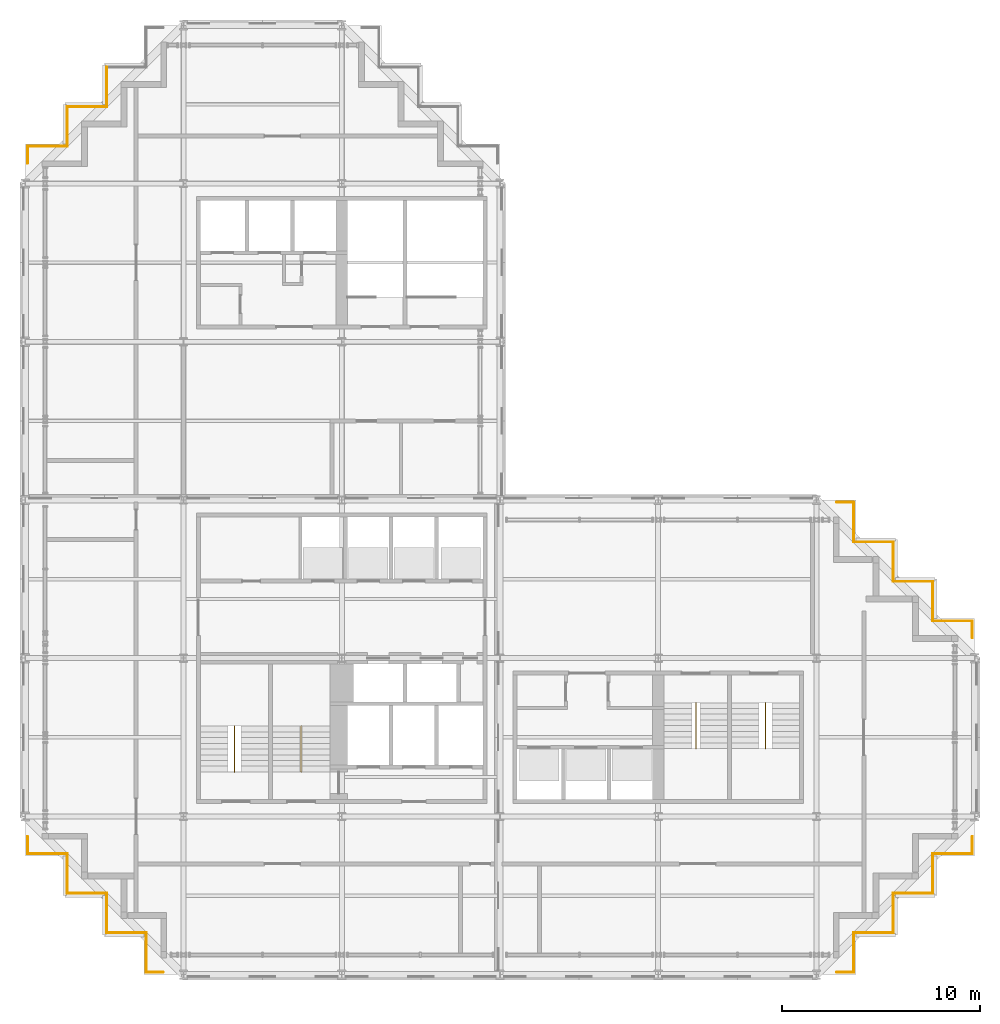
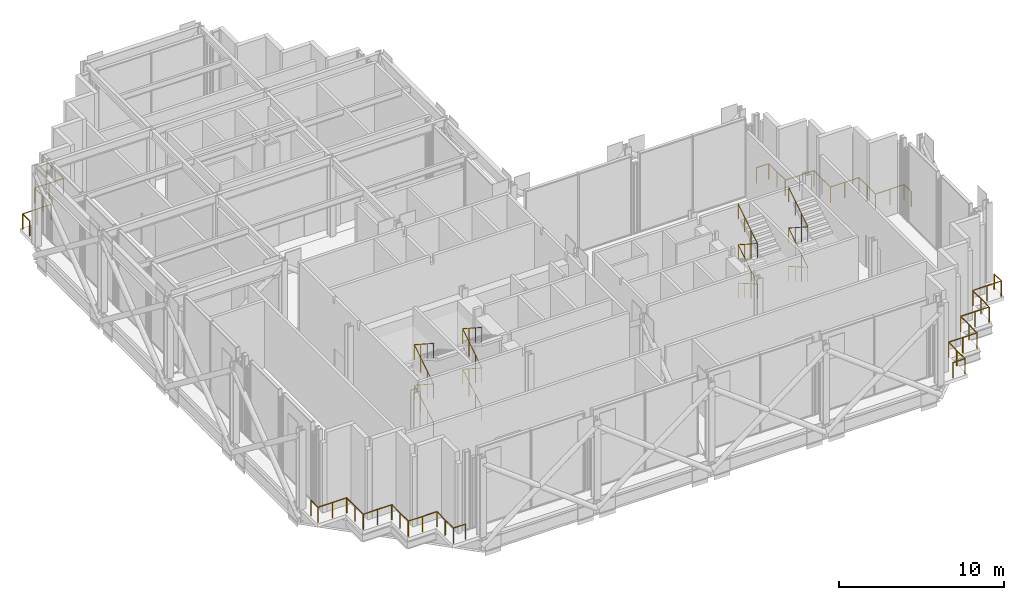
# One storey, part 21 of 23: 33 railings.
"""IFC4 building model written with IfcOpenShell, lengths in metres."""

import ifcopenshell
import ifcopenshell.guid

model = None  # the IFC model being written
_history = None  # IfcOwnerHistory: only IFC2X3 demands one
_inside = {}  # id of a spatial element -> (the spatial element, [elements in it])
_under = {}  # id of a project, library or spatial element -> (it, [spatial elements below it])
_declared = {}  # id of a project -> (the project, [libraries it declares])
_typed = {}  # id of a type object -> (the type object, [elements of that type])
_made_of = {}  # id of a material, layer set ... -> (it, [elements and type objects made of it])


def new_model(schema):
    """Start an empty IFC model of exactly this schema.

    Asked for "IFC4X3", IfcOpenShell would pick the latest addendum, in which some entities
    have other attributes; the version numbers below select the first issue.
    IFC2X3 requires an IfcOwnerHistory on every rooted entity: one is made here for all.
    """
    global model, _history
    if schema == "IFC4X3":
        model = ifcopenshell.file(schema_version=(4, 3, 0, 0))
    else:
        model = ifcopenshell.file(schema=schema)
    _inside.clear()
    _under.clear()
    _declared.clear()
    _typed.clear()
    _made_of.clear()
    _history = None
    if model.schema == "IFC2X3":
        org = make("IfcOrganization", Name="unknown")
        user = make(
            "IfcPersonAndOrganization",
            ThePerson=make("IfcPerson", FamilyName="unknown"),
            TheOrganization=org,
        )
        app = make(
            "IfcApplication",
            ApplicationDeveloper=org,
            Version="unknown",
            ApplicationFullName="unknown",
            ApplicationIdentifier="unknown",
        )
        _history = make(
            "IfcOwnerHistory",
            OwningUser=user,
            OwningApplication=app,
            ChangeAction="ADDED",
            CreationDate=0,
        )
    return model


def make(cls, **values):
    """One entity of the class cls with the attributes given. An attribute that is None is left unset."""
    return model.create_entity(
        cls, **{name: value for name, value in values.items() if value is not None}
    )


def rooted(cls, **values):
    """An entity with a GlobalId (a new one), such as an element, a storey or a relation."""
    return make(cls, GlobalId=ifcopenshell.guid.new(), OwnerHistory=_history, **values)


def si_unit(unit_type, name, prefix=None):
    """IfcSIUnit, for example si_unit("LENGTHUNIT", "METRE", prefix="MILLI")."""
    return make("IfcSIUnit", UnitType=unit_type, Prefix=prefix, Name=name)


def assignment(units):
    """IfcUnitAssignment: the units of a project."""
    return None if units is None else make("IfcUnitAssignment", Units=units)


def point(xyz):
    """IfcCartesianPoint."""
    return None if xyz is None else make("IfcCartesianPoint", Coordinates=xyz)


def direction(xyz):
    """IfcDirection."""
    return None if xyz is None else make("IfcDirection", DirectionRatios=xyz)


def frame(location, z_axis=None, x_axis=None):
    """IfcAxis2Placement3D, a coordinate frame: its origin and axes. An axis left out is left unset."""
    return make(
        "IfcAxis2Placement3D",
        Location=point(location),
        Axis=direction(z_axis),
        RefDirection=direction(x_axis),
    )


def frame_2d(location, x_axis=None):
    """IfcAxis2Placement2D, a coordinate frame in the plane: its origin and x axis."""
    return make(
        "IfcAxis2Placement2D", Location=point(location), RefDirection=direction(x_axis)
    )


def origin():
    """The frame at (0, 0, 0) with its axes left unset."""
    return frame((0.0, 0.0, 0.0))


def origin_2d():
    """The frame at (0, 0) in the plane with its x axis left unset."""
    return frame_2d((0.0, 0.0))


def place(relative_to, where):
    """IfcLocalPlacement: puts the frame where relative to a parent placement (None: the world)."""
    return make(
        "IfcLocalPlacement", PlacementRelTo=relative_to, RelativePlacement=where
    )


def context(
    kind, dimensions, precision=None, world=None, true_north=None, identifier=None
):
    """IfcGeometricRepresentationContext, for example the 3D "Model" context."""
    return make(
        "IfcGeometricRepresentationContext",
        ContextIdentifier=identifier,
        ContextType=kind,
        CoordinateSpaceDimension=dimensions,
        Precision=precision,
        WorldCoordinateSystem=world,
        TrueNorth=true_north,
    )


def subcontext(parent, identifier, kind, view, scale=None):
    """IfcGeometricRepresentationSubContext, for example "Body" below "Model"."""
    return make(
        "IfcGeometricRepresentationSubContext",
        ContextIdentifier=identifier,
        ContextType=kind,
        ParentContext=parent,
        TargetScale=scale,
        TargetView=view,
    )


def project(units=None, contexts=None):
    """IfcProject with its units and contexts."""
    return rooted(
        "IfcProject",
        Name="project",
        RepresentationContexts=contexts,
        UnitsInContext=assignment(units),
    )


def spatial(cls, under=None, at=None, **own):
    """A site, building, storey or space (cls), placed at a placement, below another one or the project."""
    s = rooted(cls, ObjectPlacement=at, **own)
    if under is not None:
        _under.setdefault(under.id(), (under, []))[1].append(s)
    return s


def profile(cls, at=None, kind="AREA", **sizes):
    """A parametric profile (cls). Its sizes go by their IFC names, for example OverallWidth=200.0."""
    return make(cls, ProfileType=kind, Position=at, **sizes)


def circle(**sizes):
    """IfcCircleProfileDef."""
    return profile("IfcCircleProfileDef", **sizes)


def extrude(swept, where, along, depth):
    """IfcExtrudedAreaSolid: the profile swept, set in the frame where, extruded along a direction by depth."""
    return make(
        "IfcExtrudedAreaSolid",
        SweptArea=swept,
        Position=where,
        ExtrudedDirection=direction(along),
        Depth=depth,
    )


def shape(context_of_items, identifier, shape_type, items):
    """IfcShapeRepresentation: the items that make up one representation, for example the "Body"."""
    return make(
        "IfcShapeRepresentation",
        ContextOfItems=context_of_items,
        RepresentationIdentifier=identifier,
        RepresentationType=shape_type,
        Items=items,
    )


def material(Name=None, Category=None):
    """IfcMaterial."""
    return make("IfcMaterial", Name=Name, Category=Category)


def made_of(thing, what):
    """Note that an element or type object is made of a material, layer set ...; save() writes the relation."""
    if what is not None:
        _made_of.setdefault(what.id(), (what, []))[1].append(thing)
    return thing


def type_object(cls, material=None, **own):
    """A type object (cls), such as IfcWallType, which elements share."""
    return made_of(rooted(cls, **own), material)


def element(
    cls,
    number,
    at=None,
    inside=None,
    cuts=None,
    type_object=None,
    material=None,
    context=None,
    identifier="Body",
    shape_type=None,
    held_by="IfcProductDefinitionShape",
    body=None,
    shapes=None,
    **own,
):
    """One element of the class cls, such as IfcWall. Its Tag is "e" and its number.

    at: its placement. inside: the storey or other place that contains it. cuts: it is an
    opening in that element (IfcRelVoidsElement). A single representation is given by context,
    identifier, shape_type and body (its items); several are given by shapes. held_by: the class
    of the entity that holds the representations. save() writes the other relations.
    """
    e = rooted(cls, Tag="e%d" % number, ObjectPlacement=at, **own)
    if body is not None:
        shapes = [shape(context, identifier, shape_type, body)]
    if shapes is not None:
        e.Representation = make(held_by, Representations=shapes)
    if inside is not None:
        _inside.setdefault(inside.id(), (inside, []))[1].append(e)
    if cuts is not None:
        rooted(
            "IfcRelVoidsElement", RelatingBuildingElement=cuts, RelatedOpeningElement=e
        )
    if type_object is not None:
        _typed.setdefault(type_object.id(), (type_object, []))[1].append(e)
    return made_of(e, material)


def aggregate(whole, parts):
    """IfcRelAggregates: a whole, such as a stair, and the parts it consists of."""
    return rooted("IfcRelAggregates", RelatingObject=whole, RelatedObjects=parts)


def save(model, path):
    """Write the relations noted so far, then the file.

    IfcRelAggregates (storeys below a building ...), IfcRelContainedInSpatialStructure (elements
    in a storey), IfcRelDefinesByType, IfcRelAssociatesMaterial and IfcRelDeclares: one each for
    every whole, place, type object, material and project.
    """
    for whole, parts in _under.values():
        aggregate(whole, parts)
    for where, things in _inside.values():
        rooted(
            "IfcRelContainedInSpatialStructure",
            RelatedElements=things,
            RelatingStructure=where,
        )
    for kind, things in _typed.values():
        rooted("IfcRelDefinesByType", RelatedObjects=things, RelatingType=kind)
    for what, things in _made_of.values():
        rooted("IfcRelAssociatesMaterial", RelatedObjects=things, RelatingMaterial=what)
    for by, libraries in _declared.values():
        rooted("IfcRelDeclares", RelatingContext=by, RelatedDefinitions=libraries)
    model.write(path)


model = new_model("IFC4")

# Units and contexts
model_context = context("Model", 3, precision=1e-05, world=origin(), true_north=direction((0.0, 1.0)))
body_context = subcontext(model_context, "Body", "Model", "MODEL_VIEW")
ifc_project = project(units=[si_unit("LENGTHUNIT", "METRE"), si_unit("AREAUNIT", "SQUARE_METRE"), si_unit("VOLUMEUNIT", "CUBIC_METRE"), si_unit("PLANEANGLEUNIT", "RADIAN"), si_unit("MASSUNIT", "GRAM", prefix="KILO")], contexts=[model_context])

# Site, building, storey
site_placement = place(None, origin())
site = spatial("IfcSite", under=ifc_project, at=site_placement, CompositionType="ELEMENT")
building_placement = place(site_placement, origin())
building = spatial("IfcBuilding", under=site, at=building_placement, Name="Immortelle Media Tower", CompositionType="ELEMENT")
storey_placement = place(building_placement, frame((0.0, 0.0, 183.0)))
storey = spatial("IfcBuildingStorey", under=building, at=storey_placement, Name="L38", CompositionType="ELEMENT", Elevation=183.0)

# Railings
ifc_material = material(Name="Stainless steel AISI 316", Category="steel")
railing_type_1 = type_object("IfcRailingType", Name="Plant ledge guard 1150", PredefinedType="GUARDRAIL", material=ifc_material)
railing_1_placement = place(storey_placement, frame((0.1201171875, 6.1201171875, 0.0)))
element("IfcRailing", 1, at=railing_1_placement, inside=storey, type_object=railing_type_1, Name="Plant ledge guard L38-1", PredefinedType="GUARDRAIL", context=body_context, shape_type="SweptSolid", body=[
    extrude(circle(Radius=0.02001953125, at=origin_2d()), frame((0.0, 0.0, 1.1298828125), z_axis=(1.0, 0.0, 0.0), x_axis=(0.0, 1.0, 0.0)), (0.0, 0.0, 1.0), 2.0),
    extrude(circle(Radius=0.02001953125, at=origin_2d()), origin(), (0.0, 0.0, 1.0), 1.10986328125),
    extrude(circle(Radius=0.02001953125, at=origin_2d()), frame((1.0, 0.0, 0.0)), (0.0, 0.0, 1.0), 1.10986328125),
    extrude(circle(Radius=0.02001953125, at=origin_2d()), frame((2.0, 0.0, 0.0)), (0.0, 0.0, 1.0), 1.10986328125),
])
railing_2_placement = place(storey_placement, frame((0.1201171875, 6.969970703125, 0.0)))
element("IfcRailing", 2, at=railing_2_placement, inside=storey, type_object=railing_type_1, Name="Plant ledge guard L38-2", PredefinedType="GUARDRAIL", context=body_context, shape_type="SweptSolid", body=[
    extrude(circle(Radius=0.02001953125, at=origin_2d()), frame((0.0, 0.0, 1.1298828125), z_axis=(0.0, -1.0, 0.0), x_axis=(1.0, 0.0, 0.0)), (0.0, 0.0, 1.0), 0.849853515625),
    extrude(circle(Radius=0.02001953125, at=origin_2d()), origin(), (0.0, 0.0, 1.0), 1.10986328125),
    extrude(circle(Radius=0.02001953125, at=origin_2d()), frame((0.0, -0.849853515625, 0.0)), (0.0, 0.0, 1.0), 1.10986328125),
])
railing_3_placement = place(storey_placement, frame((2.1201171875, 6.1201171875, 0.0)))
element("IfcRailing", 3, at=railing_3_placement, inside=storey, type_object=railing_type_1, Name="Plant ledge guard L38-3", PredefinedType="GUARDRAIL", context=body_context, shape_type="SweptSolid", body=[
    extrude(circle(Radius=0.02001953125, at=origin_2d()), frame((0.0, 0.0, 1.1298828125), z_axis=(0.0, -1.0, 0.0), x_axis=(1.0, 0.0, 0.0)), (0.0, 0.0, 1.0), 2.0),
    extrude(circle(Radius=0.02001953125, at=origin_2d()), origin(), (0.0, 0.0, 1.0), 1.10986328125),
    extrude(circle(Radius=0.02001953125, at=origin_2d()), frame((0.0, -1.0, 0.0)), (0.0, 0.0, 1.0), 1.10986328125),
    extrude(circle(Radius=0.02001953125, at=origin_2d()), frame((0.0, -2.0, 0.0)), (0.0, 0.0, 1.0), 1.10986328125),
])
railing_4_placement = place(storey_placement, frame((2.1201171875, 4.1201171875, 0.0)))
element("IfcRailing", 4, at=railing_4_placement, inside=storey, type_object=railing_type_1, Name="Plant ledge guard L38-4", PredefinedType="GUARDRAIL", context=body_context, shape_type="SweptSolid", body=[
    extrude(circle(Radius=0.02001953125, at=origin_2d()), frame((0.0, 0.0, 1.1298828125), z_axis=(1.0, 0.0, 0.0), x_axis=(0.0, 1.0, 0.0)), (0.0, 0.0, 1.0), 2.0),
    extrude(circle(Radius=0.02001953125, at=origin_2d()), origin(), (0.0, 0.0, 1.0), 1.10986328125),
    extrude(circle(Radius=0.02001953125, at=origin_2d()), frame((1.0, 0.0, 0.0)), (0.0, 0.0, 1.0), 1.10986328125),
    extrude(circle(Radius=0.02001953125, at=origin_2d()), frame((2.0, 0.0, 0.0)), (0.0, 0.0, 1.0), 1.10986328125),
])
railing_5_placement = place(storey_placement, frame((4.1201171875, 4.1201171875, 0.0)))
element("IfcRailing", 5, at=railing_5_placement, inside=storey, type_object=railing_type_1, Name="Plant ledge guard L38-5", PredefinedType="GUARDRAIL", context=body_context, shape_type="SweptSolid", body=[
    extrude(circle(Radius=0.02001953125, at=origin_2d()), frame((0.0, 0.0, 1.1298828125), z_axis=(0.0, -1.0, 0.0), x_axis=(1.0, 0.0, 0.0)), (0.0, 0.0, 1.0), 2.0),
    extrude(circle(Radius=0.02001953125, at=origin_2d()), origin(), (0.0, 0.0, 1.0), 1.10986328125),
    extrude(circle(Radius=0.02001953125, at=origin_2d()), frame((0.0, -1.0, 0.0)), (0.0, 0.0, 1.0), 1.10986328125),
    extrude(circle(Radius=0.02001953125, at=origin_2d()), frame((0.0, -2.0, 0.0)), (0.0, 0.0, 1.0), 1.10986328125),
])
railing_6_placement = place(storey_placement, frame((4.1201171875, 2.1201171875, 0.0)))
element("IfcRailing", 6, at=railing_6_placement, inside=storey, type_object=railing_type_1, Name="Plant ledge guard L38-6", PredefinedType="GUARDRAIL", context=body_context, shape_type="SweptSolid", body=[
    extrude(circle(Radius=0.02001953125, at=origin_2d()), frame((0.0, 0.0, 1.1298828125), z_axis=(1.0, 0.0, 0.0), x_axis=(0.0, 1.0, 0.0)), (0.0, 0.0, 1.0), 2.0),
    extrude(circle(Radius=0.02001953125, at=origin_2d()), origin(), (0.0, 0.0, 1.0), 1.10986328125),
    extrude(circle(Radius=0.02001953125, at=origin_2d()), frame((1.0, 0.0, 0.0)), (0.0, 0.0, 1.0), 1.10986328125),
    extrude(circle(Radius=0.02001953125, at=origin_2d()), frame((2.0, 0.0, 0.0)), (0.0, 0.0, 1.0), 1.10986328125),
])
railing_7_placement = place(storey_placement, frame((6.1201171875, 2.1201171875, 0.0)))
element("IfcRailing", 7, at=railing_7_placement, inside=storey, type_object=railing_type_1, Name="Plant ledge guard L38-7", PredefinedType="GUARDRAIL", context=body_context, shape_type="SweptSolid", body=[
    extrude(circle(Radius=0.02001953125, at=origin_2d()), frame((0.0, 0.0, 1.1298828125), z_axis=(0.0, -1.0, 0.0), x_axis=(1.0, 0.0, 0.0)), (0.0, 0.0, 1.0), 2.0),
    extrude(circle(Radius=0.02001953125, at=origin_2d()), origin(), (0.0, 0.0, 1.0), 1.10986328125),
    extrude(circle(Radius=0.02001953125, at=origin_2d()), frame((0.0, -1.0, 0.0)), (0.0, 0.0, 1.0), 1.10986328125),
    extrude(circle(Radius=0.02001953125, at=origin_2d()), frame((0.0, -2.0, 0.0)), (0.0, 0.0, 1.0), 1.10986328125),
])
railing_8_placement = place(storey_placement, frame((6.1201171875, 0.1201171875, 0.0)))
element("IfcRailing", 8, at=railing_8_placement, inside=storey, type_object=railing_type_1, Name="Plant ledge guard L38-8", PredefinedType="GUARDRAIL", context=body_context, shape_type="SweptSolid", body=[
    extrude(circle(Radius=0.02001953125, at=origin_2d()), frame((0.0, 0.0, 1.1298828125), z_axis=(1.0, 0.0, 0.0), x_axis=(0.0, 1.0, 0.0)), (0.0, 0.0, 1.0), 0.849853515625),
    extrude(circle(Radius=0.02001953125, at=origin_2d()), origin(), (0.0, 0.0, 1.0), 1.10986328125),
    extrude(circle(Radius=0.02001953125, at=origin_2d()), frame((0.849853515625, 0.0, 0.0)), (0.0, 0.0, 1.0), 1.10986328125),
])
railing_9_placement = place(storey_placement, frame((41.8798828125, 0.1201171875, 0.0)))
element("IfcRailing", 9, at=railing_9_placement, inside=storey, type_object=railing_type_1, Name="Plant ledge guard L38-9", PredefinedType="GUARDRAIL", context=body_context, shape_type="SweptSolid", body=[
    extrude(circle(Radius=0.02001953125, at=origin_2d()), frame((0.0, 0.0, 1.1298828125), z_axis=(0.0, 1.0, 0.0), x_axis=(-1.0, 0.0, 0.0)), (0.0, 0.0, 1.0), 2.0),
    extrude(circle(Radius=0.02001953125, at=origin_2d()), origin(), (0.0, 0.0, 1.0), 1.10986328125),
    extrude(circle(Radius=0.02001953125, at=origin_2d()), frame((0.0, 1.0, 0.0)), (0.0, 0.0, 1.0), 1.10986328125),
    extrude(circle(Radius=0.02001953125, at=origin_2d()), frame((0.0, 2.0, 0.0)), (0.0, 0.0, 1.0), 1.10986328125),
])
railing_10_placement = place(storey_placement, frame((41.030029296875, 0.1201171875, 0.0)))
element("IfcRailing", 10, at=railing_10_placement, inside=storey, type_object=railing_type_1, Name="Plant ledge guard L38-10", PredefinedType="GUARDRAIL", context=body_context, shape_type="SweptSolid", body=[
    extrude(circle(Radius=0.02001953125, at=origin_2d()), frame((0.0, 0.0, 1.1298828125), z_axis=(1.0, 0.0, 0.0), x_axis=(0.0, 1.0, 0.0)), (0.0, 0.0, 1.0), 0.849853515625),
    extrude(circle(Radius=0.02001953125, at=origin_2d()), origin(), (0.0, 0.0, 1.0), 1.10986328125),
    extrude(circle(Radius=0.02001953125, at=origin_2d()), frame((0.849853515625, 0.0, 0.0)), (0.0, 0.0, 1.0), 1.10986328125),
])
railing_11_placement = place(storey_placement, frame((41.8798828125, 2.1201171875, 0.0)))
element("IfcRailing", 11, at=railing_11_placement, inside=storey, type_object=railing_type_1, Name="Plant ledge guard L38-11", PredefinedType="GUARDRAIL", context=body_context, shape_type="SweptSolid", body=[
    extrude(circle(Radius=0.02001953125, at=origin_2d()), frame((0.0, 0.0, 1.1298828125), z_axis=(1.0, 0.0, 0.0), x_axis=(0.0, 1.0, 0.0)), (0.0, 0.0, 1.0), 2.0),
    extrude(circle(Radius=0.02001953125, at=origin_2d()), origin(), (0.0, 0.0, 1.0), 1.10986328125),
    extrude(circle(Radius=0.02001953125, at=origin_2d()), frame((1.0, 0.0, 0.0)), (0.0, 0.0, 1.0), 1.10986328125),
    extrude(circle(Radius=0.02001953125, at=origin_2d()), frame((2.0, 0.0, 0.0)), (0.0, 0.0, 1.0), 1.10986328125),
])
railing_12_placement = place(storey_placement, frame((43.8798828125, 2.1201171875, 0.0)))
element("IfcRailing", 12, at=railing_12_placement, inside=storey, type_object=railing_type_1, Name="Plant ledge guard L38-12", PredefinedType="GUARDRAIL", context=body_context, shape_type="SweptSolid", body=[
    extrude(circle(Radius=0.02001953125, at=origin_2d()), frame((0.0, 0.0, 1.1298828125), z_axis=(0.0, 1.0, 0.0), x_axis=(-1.0, 0.0, 0.0)), (0.0, 0.0, 1.0), 2.0),
    extrude(circle(Radius=0.02001953125, at=origin_2d()), origin(), (0.0, 0.0, 1.0), 1.10986328125),
    extrude(circle(Radius=0.02001953125, at=origin_2d()), frame((0.0, 1.0, 0.0)), (0.0, 0.0, 1.0), 1.10986328125),
    extrude(circle(Radius=0.02001953125, at=origin_2d()), frame((0.0, 2.0, 0.0)), (0.0, 0.0, 1.0), 1.10986328125),
])
railing_13_placement = place(storey_placement, frame((43.8798828125, 4.1201171875, 0.0)))
element("IfcRailing", 13, at=railing_13_placement, inside=storey, type_object=railing_type_1, Name="Plant ledge guard L38-13", PredefinedType="GUARDRAIL", context=body_context, shape_type="SweptSolid", body=[
    extrude(circle(Radius=0.02001953125, at=origin_2d()), frame((0.0, 0.0, 1.1298828125), z_axis=(1.0, 0.0, 0.0), x_axis=(0.0, 1.0, 0.0)), (0.0, 0.0, 1.0), 2.0),
    extrude(circle(Radius=0.02001953125, at=origin_2d()), origin(), (0.0, 0.0, 1.0), 1.10986328125),
    extrude(circle(Radius=0.02001953125, at=origin_2d()), frame((1.0, 0.0, 0.0)), (0.0, 0.0, 1.0), 1.10986328125),
    extrude(circle(Radius=0.02001953125, at=origin_2d()), frame((2.0, 0.0, 0.0)), (0.0, 0.0, 1.0), 1.10986328125),
])
railing_14_placement = place(storey_placement, frame((45.8798828125, 4.1201171875, 0.0)))
element("IfcRailing", 14, at=railing_14_placement, inside=storey, type_object=railing_type_1, Name="Plant ledge guard L38-14", PredefinedType="GUARDRAIL", context=body_context, shape_type="SweptSolid", body=[
    extrude(circle(Radius=0.02001953125, at=origin_2d()), frame((0.0, 0.0, 1.1298828125), z_axis=(0.0, 1.0, 0.0), x_axis=(-1.0, 0.0, 0.0)), (0.0, 0.0, 1.0), 2.0),
    extrude(circle(Radius=0.02001953125, at=origin_2d()), origin(), (0.0, 0.0, 1.0), 1.10986328125),
    extrude(circle(Radius=0.02001953125, at=origin_2d()), frame((0.0, 1.0, 0.0)), (0.0, 0.0, 1.0), 1.10986328125),
    extrude(circle(Radius=0.02001953125, at=origin_2d()), frame((0.0, 2.0, 0.0)), (0.0, 0.0, 1.0), 1.10986328125),
])
railing_15_placement = place(storey_placement, frame((45.8798828125, 6.1201171875, 0.0)))
element("IfcRailing", 15, at=railing_15_placement, inside=storey, type_object=railing_type_1, Name="Plant ledge guard L38-15", PredefinedType="GUARDRAIL", context=body_context, shape_type="SweptSolid", body=[
    extrude(circle(Radius=0.02001953125, at=origin_2d()), frame((0.0, 0.0, 1.1298828125), z_axis=(1.0, 0.0, 0.0), x_axis=(0.0, 1.0, 0.0)), (0.0, 0.0, 1.0), 2.0),
    extrude(circle(Radius=0.02001953125, at=origin_2d()), origin(), (0.0, 0.0, 1.0), 1.10986328125),
    extrude(circle(Radius=0.02001953125, at=origin_2d()), frame((1.0, 0.0, 0.0)), (0.0, 0.0, 1.0), 1.10986328125),
    extrude(circle(Radius=0.02001953125, at=origin_2d()), frame((2.0, 0.0, 0.0)), (0.0, 0.0, 1.0), 1.10986328125),
])
railing_16_placement = place(storey_placement, frame((47.8798828125, 6.1201171875, 0.0)))
element("IfcRailing", 16, at=railing_16_placement, inside=storey, type_object=railing_type_1, Name="Plant ledge guard L38-16", PredefinedType="GUARDRAIL", context=body_context, shape_type="SweptSolid", body=[
    extrude(circle(Radius=0.02001953125, at=origin_2d()), frame((0.0, 0.0, 1.1298828125), z_axis=(0.0, 1.0, 0.0), x_axis=(-1.0, 0.0, 0.0)), (0.0, 0.0, 1.0), 0.849853515625),
    extrude(circle(Radius=0.02001953125, at=origin_2d()), origin(), (0.0, 0.0, 1.0), 1.10986328125),
    extrude(circle(Radius=0.02001953125, at=origin_2d()), frame((0.0, 0.849853515625, 0.0)), (0.0, 0.0, 1.0), 1.10986328125),
])
railing_17_placement = place(storey_placement, frame((47.8798828125, 17.8798828125, 0.0)))
element("IfcRailing", 17, at=railing_17_placement, inside=storey, type_object=railing_type_1, Name="Plant ledge guard L38-17", PredefinedType="GUARDRAIL", context=body_context, shape_type="SweptSolid", body=[
    extrude(circle(Radius=0.02001953125, at=origin_2d()), frame((0.0, 0.0, 1.1298828125), z_axis=(-1.0, 0.0, 0.0), x_axis=(0.0, -1.0, 0.0)), (0.0, 0.0, 1.0), 2.0),
    extrude(circle(Radius=0.02001953125, at=origin_2d()), origin(), (0.0, 0.0, 1.0), 1.10986328125),
    extrude(circle(Radius=0.02001953125, at=origin_2d()), frame((-1.0, 0.0, 0.0)), (0.0, 0.0, 1.0), 1.10986328125),
    extrude(circle(Radius=0.02001953125, at=origin_2d()), frame((-2.0, 0.0, 0.0)), (0.0, 0.0, 1.0), 1.10986328125),
])
railing_18_placement = place(storey_placement, frame((47.8798828125, 17.030029296875, 0.0)))
element("IfcRailing", 18, at=railing_18_placement, inside=storey, type_object=railing_type_1, Name="Plant ledge guard L38-18", PredefinedType="GUARDRAIL", context=body_context, shape_type="SweptSolid", body=[
    extrude(circle(Radius=0.02001953125, at=origin_2d()), frame((0.0, 0.0, 1.1298828125), z_axis=(0.0, 1.0, 0.0), x_axis=(-1.0, 0.0, 0.0)), (0.0, 0.0, 1.0), 0.849853515625),
    extrude(circle(Radius=0.02001953125, at=origin_2d()), origin(), (0.0, 0.0, 1.0), 1.10986328125),
    extrude(circle(Radius=0.02001953125, at=origin_2d()), frame((0.0, 0.849853515625, 0.0)), (0.0, 0.0, 1.0), 1.10986328125),
])
railing_19_placement = place(storey_placement, frame((45.8798828125, 17.8798828125, 0.0)))
element("IfcRailing", 19, at=railing_19_placement, inside=storey, type_object=railing_type_1, Name="Plant ledge guard L38-19", PredefinedType="GUARDRAIL", context=body_context, shape_type="SweptSolid", body=[
    extrude(circle(Radius=0.02001953125, at=origin_2d()), frame((0.0, 0.0, 1.1298828125), z_axis=(0.0, 1.0, 0.0), x_axis=(-1.0, 0.0, 0.0)), (0.0, 0.0, 1.0), 2.0),
    extrude(circle(Radius=0.02001953125, at=origin_2d()), origin(), (0.0, 0.0, 1.0), 1.10986328125),
    extrude(circle(Radius=0.02001953125, at=origin_2d()), frame((0.0, 1.0, 0.0)), (0.0, 0.0, 1.0), 1.10986328125),
    extrude(circle(Radius=0.02001953125, at=origin_2d()), frame((0.0, 2.0, 0.0)), (0.0, 0.0, 1.0), 1.10986328125),
])
railing_20_placement = place(storey_placement, frame((45.8798828125, 19.8798828125, 0.0)))
element("IfcRailing", 20, at=railing_20_placement, inside=storey, type_object=railing_type_1, Name="Plant ledge guard L38-20", PredefinedType="GUARDRAIL", context=body_context, shape_type="SweptSolid", body=[
    extrude(circle(Radius=0.02001953125, at=origin_2d()), frame((0.0, 0.0, 1.1298828125), z_axis=(-1.0, 0.0, 0.0), x_axis=(0.0, -1.0, 0.0)), (0.0, 0.0, 1.0), 2.0),
    extrude(circle(Radius=0.02001953125, at=origin_2d()), origin(), (0.0, 0.0, 1.0), 1.10986328125),
    extrude(circle(Radius=0.02001953125, at=origin_2d()), frame((-1.0, 0.0, 0.0)), (0.0, 0.0, 1.0), 1.10986328125),
    extrude(circle(Radius=0.02001953125, at=origin_2d()), frame((-2.0, 0.0, 0.0)), (0.0, 0.0, 1.0), 1.10986328125),
])
railing_21_placement = place(storey_placement, frame((43.8798828125, 19.8798828125, 0.0)))
element("IfcRailing", 21, at=railing_21_placement, inside=storey, type_object=railing_type_1, Name="Plant ledge guard L38-21", PredefinedType="GUARDRAIL", context=body_context, shape_type="SweptSolid", body=[
    extrude(circle(Radius=0.02001953125, at=origin_2d()), frame((0.0, 0.0, 1.1298828125), z_axis=(0.0, 1.0, 0.0), x_axis=(-1.0, 0.0, 0.0)), (0.0, 0.0, 1.0), 2.0),
    extrude(circle(Radius=0.02001953125, at=origin_2d()), origin(), (0.0, 0.0, 1.0), 1.10986328125),
    extrude(circle(Radius=0.02001953125, at=origin_2d()), frame((0.0, 1.0, 0.0)), (0.0, 0.0, 1.0), 1.10986328125),
    extrude(circle(Radius=0.02001953125, at=origin_2d()), frame((0.0, 2.0, 0.0)), (0.0, 0.0, 1.0), 1.10986328125),
])
railing_22_placement = place(storey_placement, frame((43.8798828125, 21.8798828125, 0.0)))
element("IfcRailing", 22, at=railing_22_placement, inside=storey, type_object=railing_type_1, Name="Plant ledge guard L38-22", PredefinedType="GUARDRAIL", context=body_context, shape_type="SweptSolid", body=[
    extrude(circle(Radius=0.02001953125, at=origin_2d()), frame((0.0, 0.0, 1.1298828125), z_axis=(-1.0, 0.0, 0.0), x_axis=(0.0, -1.0, 0.0)), (0.0, 0.0, 1.0), 2.0),
    extrude(circle(Radius=0.02001953125, at=origin_2d()), origin(), (0.0, 0.0, 1.0), 1.10986328125),
    extrude(circle(Radius=0.02001953125, at=origin_2d()), frame((-1.0, 0.0, 0.0)), (0.0, 0.0, 1.0), 1.10986328125),
    extrude(circle(Radius=0.02001953125, at=origin_2d()), frame((-2.0, 0.0, 0.0)), (0.0, 0.0, 1.0), 1.10986328125),
])
railing_23_placement = place(storey_placement, frame((41.8798828125, 21.8798828125, 0.0)))
element("IfcRailing", 23, at=railing_23_placement, inside=storey, type_object=railing_type_1, Name="Plant ledge guard L38-23", PredefinedType="GUARDRAIL", context=body_context, shape_type="SweptSolid", body=[
    extrude(circle(Radius=0.02001953125, at=origin_2d()), frame((0.0, 0.0, 1.1298828125), z_axis=(0.0, 1.0, 0.0), x_axis=(-1.0, 0.0, 0.0)), (0.0, 0.0, 1.0), 2.0),
    extrude(circle(Radius=0.02001953125, at=origin_2d()), origin(), (0.0, 0.0, 1.0), 1.10986328125),
    extrude(circle(Radius=0.02001953125, at=origin_2d()), frame((0.0, 1.0, 0.0)), (0.0, 0.0, 1.0), 1.10986328125),
    extrude(circle(Radius=0.02001953125, at=origin_2d()), frame((0.0, 2.0, 0.0)), (0.0, 0.0, 1.0), 1.10986328125),
])
railing_24_placement = place(storey_placement, frame((41.8798828125, 23.8798828125, 0.0)))
element("IfcRailing", 24, at=railing_24_placement, inside=storey, type_object=railing_type_1, Name="Plant ledge guard L38-24", PredefinedType="GUARDRAIL", context=body_context, shape_type="SweptSolid", body=[
    extrude(circle(Radius=0.02001953125, at=origin_2d()), frame((0.0, 0.0, 1.1298828125), z_axis=(-1.0, 0.0, 0.0), x_axis=(0.0, -1.0, 0.0)), (0.0, 0.0, 1.0), 0.849853515625),
    extrude(circle(Radius=0.02001953125, at=origin_2d()), origin(), (0.0, 0.0, 1.0), 1.10986328125),
    extrude(circle(Radius=0.02001953125, at=origin_2d()), frame((-0.849853515625, 0.0, 0.0)), (0.0, 0.0, 1.0), 1.10986328125),
])
railing_25_placement = place(storey_placement, frame((4.1201171875, 45.8798828125, 0.0)))
element("IfcRailing", 25, at=railing_25_placement, inside=storey, type_object=railing_type_1, Name="Plant ledge guard L38-36", PredefinedType="GUARDRAIL", context=body_context, shape_type="SweptSolid", body=[
    extrude(circle(Radius=0.02001953125, at=origin_2d()), frame((0.0, 0.0, 1.1298828125), z_axis=(0.0, -1.0, 0.0), x_axis=(1.0, 0.0, 0.0)), (0.0, 0.0, 1.0), 2.0),
    extrude(circle(Radius=0.02001953125, at=origin_2d()), origin(), (0.0, 0.0, 1.0), 1.10986328125),
    extrude(circle(Radius=0.02001953125, at=origin_2d()), frame((0.0, -1.0, 0.0)), (0.0, 0.0, 1.0), 1.10986328125),
    extrude(circle(Radius=0.02001953125, at=origin_2d()), frame((0.0, -2.0, 0.0)), (0.0, 0.0, 1.0), 1.10986328125),
])
railing_26_placement = place(storey_placement, frame((4.1201171875, 43.8798828125, 0.0)))
element("IfcRailing", 26, at=railing_26_placement, inside=storey, type_object=railing_type_1, Name="Plant ledge guard L38-37", PredefinedType="GUARDRAIL", context=body_context, shape_type="SweptSolid", body=[
    extrude(circle(Radius=0.02001953125, at=origin_2d()), frame((0.0, 0.0, 1.1298828125), z_axis=(-1.0, 0.0, 0.0), x_axis=(0.0, -1.0, 0.0)), (0.0, 0.0, 1.0), 2.0),
    extrude(circle(Radius=0.02001953125, at=origin_2d()), origin(), (0.0, 0.0, 1.0), 1.10986328125),
    extrude(circle(Radius=0.02001953125, at=origin_2d()), frame((-1.0, 0.0, 0.0)), (0.0, 0.0, 1.0), 1.10986328125),
    extrude(circle(Radius=0.02001953125, at=origin_2d()), frame((-2.0, 0.0, 0.0)), (0.0, 0.0, 1.0), 1.10986328125),
])
railing_27_placement = place(storey_placement, frame((2.1201171875, 43.8798828125, 0.0)))
element("IfcRailing", 27, at=railing_27_placement, inside=storey, type_object=railing_type_1, Name="Plant ledge guard L38-38", PredefinedType="GUARDRAIL", context=body_context, shape_type="SweptSolid", body=[
    extrude(circle(Radius=0.02001953125, at=origin_2d()), frame((0.0, 0.0, 1.1298828125), z_axis=(0.0, -1.0, 0.0), x_axis=(1.0, 0.0, 0.0)), (0.0, 0.0, 1.0), 2.0),
    extrude(circle(Radius=0.02001953125, at=origin_2d()), origin(), (0.0, 0.0, 1.0), 1.10986328125),
    extrude(circle(Radius=0.02001953125, at=origin_2d()), frame((0.0, -1.0, 0.0)), (0.0, 0.0, 1.0), 1.10986328125),
    extrude(circle(Radius=0.02001953125, at=origin_2d()), frame((0.0, -2.0, 0.0)), (0.0, 0.0, 1.0), 1.10986328125),
])
railing_28_placement = place(storey_placement, frame((2.1201171875, 41.8798828125, 0.0)))
element("IfcRailing", 28, at=railing_28_placement, inside=storey, type_object=railing_type_1, Name="Plant ledge guard L38-39", PredefinedType="GUARDRAIL", context=body_context, shape_type="SweptSolid", body=[
    extrude(circle(Radius=0.02001953125, at=origin_2d()), frame((0.0, 0.0, 1.1298828125), z_axis=(-1.0, 0.0, 0.0), x_axis=(0.0, -1.0, 0.0)), (0.0, 0.0, 1.0), 2.0),
    extrude(circle(Radius=0.02001953125, at=origin_2d()), origin(), (0.0, 0.0, 1.0), 1.10986328125),
    extrude(circle(Radius=0.02001953125, at=origin_2d()), frame((-1.0, 0.0, 0.0)), (0.0, 0.0, 1.0), 1.10986328125),
    extrude(circle(Radius=0.02001953125, at=origin_2d()), frame((-2.0, 0.0, 0.0)), (0.0, 0.0, 1.0), 1.10986328125),
])
railing_29_placement = place(storey_placement, frame((0.1201171875, 41.8798828125, 0.0)))
element("IfcRailing", 29, at=railing_29_placement, inside=storey, type_object=railing_type_1, Name="Plant ledge guard L38-40", PredefinedType="GUARDRAIL", context=body_context, shape_type="SweptSolid", body=[
    extrude(circle(Radius=0.02001953125, at=origin_2d()), frame((0.0, 0.0, 1.1298828125), z_axis=(0.0, -1.0, 0.0), x_axis=(1.0, 0.0, 0.0)), (0.0, 0.0, 1.0), 0.849853515625),
    extrude(circle(Radius=0.02001953125, at=origin_2d()), origin(), (0.0, 0.0, 1.0), 1.10986328125),
    extrude(circle(Radius=0.02001953125, at=origin_2d()), frame((0.0, -0.849853515625, 0.0)), (0.0, 0.0, 1.0), 1.10986328125),
])
railing_type_2 = type_object("IfcRailingType", Name="Stair guard 1100", PredefinedType="GUARDRAIL", material=ifc_material)
railing_30_placement = place(storey_placement, frame((10.574951171875, 10.25, 0.166748046875)))
element("IfcRailing", 30, at=railing_30_placement, inside=storey, type_object=railing_type_2, Name="Stair guard SW1", PredefinedType="GUARDRAIL", context=body_context, shape_type="SweptSolid", body=[
    extrude(circle(Radius=0.02392578125, at=origin_2d()), frame((0.0, 0.0, 1.076171875), z_axis=(0.0, 0.867033425039, 0.498249977285), x_axis=(-1.0, 0.0, 0.0)), (0.0, 0.0, 1.0), 2.67578125),
    extrude(circle(Radius=0.02392578125, at=origin_2d()), frame((0.0, 2.320068359375, 2.4091796875), z_axis=(0.0, -0.839771624056, 0.54293979356), x_axis=(1.0, 0.0, 0.0)), (0.0, 0.0, 1.0), 2.7626953125),
    extrude(circle(Radius=0.02392578125, at=origin_2d()), frame((0.0, 0.0, 3.9091796875), z_axis=(0.0, 0.839771624056, 0.54293979356), x_axis=(-1.0, 0.0, 0.0)), (0.0, 0.0, 1.0), 2.7626953125),
    extrude(circle(Radius=0.02392578125, at=origin_2d()), frame((0.0, 2.320068359375, 5.4091796875), z_axis=(0.0, -0.839771624056, 0.54293979356), x_axis=(1.0, 0.0, 0.0)), (0.0, 0.0, 1.0), 2.7626953125),
    extrude(circle(Radius=0.02099609375, at=origin_2d()), origin(), (0.0, 0.0, 1.0), 1.052001953125),
    extrude(circle(Radius=0.02099609375, at=origin_2d()), frame((0.0, 0.7734375, 0.4443359375)), (0.0, 0.0, 1.0), 1.052001953125),
    extrude(circle(Radius=0.02099609375, at=origin_2d()), frame((0.0, 1.546630859375, 0.888916015625)), (0.0, 0.0, 1.0), 1.052001953125),
    extrude(circle(Radius=0.02099609375, at=origin_2d()), frame((0.0, 2.320068359375, 1.333251953125)), (0.0, 0.0, 1.0), 1.052001953125),
    extrude(circle(Radius=0.02099609375, at=origin_2d()), frame((0.0, 1.546630859375, 1.833251953125)), (0.0, 0.0, 1.0), 1.052001953125),
    extrude(circle(Radius=0.02099609375, at=origin_2d()), frame((0.0, 0.7734375, 2.333251953125)), (0.0, 0.0, 1.0), 1.052001953125),
    extrude(circle(Radius=0.02099609375, at=origin_2d()), frame((0.0, 0.0, 2.833251953125)), (0.0, 0.0, 1.0), 1.052001953125),
    extrude(circle(Radius=0.02099609375, at=origin_2d()), frame((0.0, 0.7734375, 3.333251953125)), (0.0, 0.0, 1.0), 1.052001953125),
    extrude(circle(Radius=0.02099609375, at=origin_2d()), frame((0.0, 1.546630859375, 3.833251953125)), (0.0, 0.0, 1.0), 1.052001953125),
    extrude(circle(Radius=0.02099609375, at=origin_2d()), frame((0.0, 2.320068359375, 4.333251953125)), (0.0, 0.0, 1.0), 1.052001953125),
    extrude(circle(Radius=0.02099609375, at=origin_2d()), frame((0.0, 1.546630859375, 4.833251953125)), (0.0, 0.0, 1.0), 1.052001953125),
    extrude(circle(Radius=0.02099609375, at=origin_2d()), frame((0.0, 0.7734375, 5.333251953125)), (0.0, 0.0, 1.0), 1.052001953125),
    extrude(circle(Radius=0.02099609375, at=origin_2d()), frame((0.0, 0.0, 5.833251953125)), (0.0, 0.0, 1.0), 1.052001953125),
])
railing_31_placement = place(storey_placement, frame((13.949951171875, 10.25, 0.166748046875)))
element("IfcRailing", 31, at=railing_31_placement, inside=storey, type_object=railing_type_2, Name="Stair guard SW2", PredefinedType="GUARDRAIL", context=body_context, shape_type="SweptSolid", body=[
    extrude(circle(Radius=0.02392578125, at=origin_2d()), frame((0.0, 0.0, 1.076171875), z_axis=(0.0, 0.867033425039, 0.498249977285), x_axis=(-1.0, 0.0, 0.0)), (0.0, 0.0, 1.0), 2.67578125),
    extrude(circle(Radius=0.02392578125, at=origin_2d()), frame((0.0, 2.320068359375, 2.4091796875), z_axis=(0.0, -0.839771624056, 0.54293979356), x_axis=(1.0, 0.0, 0.0)), (0.0, 0.0, 1.0), 2.7626953125),
    extrude(circle(Radius=0.02392578125, at=origin_2d()), frame((0.0, 0.0, 3.9091796875), z_axis=(0.0, 0.839771624056, 0.54293979356), x_axis=(-1.0, 0.0, 0.0)), (0.0, 0.0, 1.0), 2.7626953125),
    extrude(circle(Radius=0.02392578125, at=origin_2d()), frame((0.0, 2.320068359375, 5.4091796875), z_axis=(0.0, -0.839771624056, 0.54293979356), x_axis=(1.0, 0.0, 0.0)), (0.0, 0.0, 1.0), 2.7626953125),
    extrude(circle(Radius=0.02099609375, at=origin_2d()), origin(), (0.0, 0.0, 1.0), 1.052001953125),
    extrude(circle(Radius=0.02099609375, at=origin_2d()), frame((0.0, 0.7734375, 0.4443359375)), (0.0, 0.0, 1.0), 1.052001953125),
    extrude(circle(Radius=0.02099609375, at=origin_2d()), frame((0.0, 1.546630859375, 0.888916015625)), (0.0, 0.0, 1.0), 1.052001953125),
    extrude(circle(Radius=0.02099609375, at=origin_2d()), frame((0.0, 2.320068359375, 1.333251953125)), (0.0, 0.0, 1.0), 1.052001953125),
    extrude(circle(Radius=0.02099609375, at=origin_2d()), frame((0.0, 1.546630859375, 1.833251953125)), (0.0, 0.0, 1.0), 1.052001953125),
    extrude(circle(Radius=0.02099609375, at=origin_2d()), frame((0.0, 0.7734375, 2.333251953125)), (0.0, 0.0, 1.0), 1.052001953125),
    extrude(circle(Radius=0.02099609375, at=origin_2d()), frame((0.0, 0.0, 2.833251953125)), (0.0, 0.0, 1.0), 1.052001953125),
    extrude(circle(Radius=0.02099609375, at=origin_2d()), frame((0.0, 0.7734375, 3.333251953125)), (0.0, 0.0, 1.0), 1.052001953125),
    extrude(circle(Radius=0.02099609375, at=origin_2d()), frame((0.0, 1.546630859375, 3.833251953125)), (0.0, 0.0, 1.0), 1.052001953125),
    extrude(circle(Radius=0.02099609375, at=origin_2d()), frame((0.0, 2.320068359375, 4.333251953125)), (0.0, 0.0, 1.0), 1.052001953125),
    extrude(circle(Radius=0.02099609375, at=origin_2d()), frame((0.0, 1.546630859375, 4.833251953125)), (0.0, 0.0, 1.0), 1.052001953125),
    extrude(circle(Radius=0.02099609375, at=origin_2d()), frame((0.0, 0.7734375, 5.333251953125)), (0.0, 0.0, 1.0), 1.052001953125),
    extrude(circle(Radius=0.02099609375, at=origin_2d()), frame((0.0, 0.0, 5.833251953125)), (0.0, 0.0, 1.0), 1.052001953125),
])
railing_32_placement = place(storey_placement, frame((33.89990234375, 13.75, 0.166748046875)))
element("IfcRailing", 32, at=railing_32_placement, inside=storey, type_object=railing_type_2, Name="Stair guard SE1", PredefinedType="GUARDRAIL", context=body_context, shape_type="SweptSolid", body=[
    extrude(circle(Radius=0.02392578125, at=origin_2d()), frame((0.0, 0.0, 1.076171875), z_axis=(0.0, -0.867033425039, 0.498249977285), x_axis=(1.0, 0.0, 0.0)), (0.0, 0.0, 1.0), 2.67578125),
    extrude(circle(Radius=0.02392578125, at=origin_2d()), frame((0.0, -2.320068359375, 2.4091796875), z_axis=(0.0, 0.839771624056, 0.54293979356), x_axis=(-1.0, 0.0, 0.0)), (0.0, 0.0, 1.0), 2.7626953125),
    extrude(circle(Radius=0.02392578125, at=origin_2d()), frame((0.0, 0.0, 3.9091796875), z_axis=(0.0, -0.839771624056, 0.54293979356), x_axis=(1.0, 0.0, 0.0)), (0.0, 0.0, 1.0), 2.7626953125),
    extrude(circle(Radius=0.02392578125, at=origin_2d()), frame((0.0, -2.320068359375, 5.4091796875), z_axis=(0.0, 0.839771624056, 0.54293979356), x_axis=(-1.0, 0.0, 0.0)), (0.0, 0.0, 1.0), 2.7626953125),
    extrude(circle(Radius=0.02099609375, at=origin_2d()), origin(), (0.0, 0.0, 1.0), 1.052001953125),
    extrude(circle(Radius=0.02099609375, at=origin_2d()), frame((0.0, -0.7734375, 0.4443359375)), (0.0, 0.0, 1.0), 1.052001953125),
    extrude(circle(Radius=0.02099609375, at=origin_2d()), frame((0.0, -1.546630859375, 0.888916015625)), (0.0, 0.0, 1.0), 1.052001953125),
    extrude(circle(Radius=0.02099609375, at=origin_2d()), frame((0.0, -2.320068359375, 1.333251953125)), (0.0, 0.0, 1.0), 1.052001953125),
    extrude(circle(Radius=0.02099609375, at=origin_2d()), frame((0.0, -1.546630859375, 1.833251953125)), (0.0, 0.0, 1.0), 1.052001953125),
    extrude(circle(Radius=0.02099609375, at=origin_2d()), frame((0.0, -0.7734375, 2.333251953125)), (0.0, 0.0, 1.0), 1.052001953125),
    extrude(circle(Radius=0.02099609375, at=origin_2d()), frame((0.0, 0.0, 2.833251953125)), (0.0, 0.0, 1.0), 1.052001953125),
    extrude(circle(Radius=0.02099609375, at=origin_2d()), frame((0.0, -0.7734375, 3.333251953125)), (0.0, 0.0, 1.0), 1.052001953125),
    extrude(circle(Radius=0.02099609375, at=origin_2d()), frame((0.0, -1.546630859375, 3.833251953125)), (0.0, 0.0, 1.0), 1.052001953125),
    extrude(circle(Radius=0.02099609375, at=origin_2d()), frame((0.0, -2.320068359375, 4.333251953125)), (0.0, 0.0, 1.0), 1.052001953125),
    extrude(circle(Radius=0.02099609375, at=origin_2d()), frame((0.0, -1.546630859375, 4.833251953125)), (0.0, 0.0, 1.0), 1.052001953125),
    extrude(circle(Radius=0.02099609375, at=origin_2d()), frame((0.0, -0.7734375, 5.333251953125)), (0.0, 0.0, 1.0), 1.052001953125),
    extrude(circle(Radius=0.02099609375, at=origin_2d()), frame((0.0, 0.0, 5.833251953125)), (0.0, 0.0, 1.0), 1.052001953125),
])
railing_33_placement = place(storey_placement, frame((37.425048828125, 13.75, 0.166748046875)))
element("IfcRailing", 33, at=railing_33_placement, inside=storey, type_object=railing_type_2, Name="Stair guard SE2", PredefinedType="GUARDRAIL", context=body_context, shape_type="SweptSolid", body=[
    extrude(circle(Radius=0.02392578125, at=origin_2d()), frame((0.0, 0.0, 1.076171875), z_axis=(0.0, -0.867033425039, 0.498249977285), x_axis=(1.0, 0.0, 0.0)), (0.0, 0.0, 1.0), 2.67578125),
    extrude(circle(Radius=0.02392578125, at=origin_2d()), frame((0.0, -2.320068359375, 2.4091796875), z_axis=(0.0, 0.839771624056, 0.54293979356), x_axis=(-1.0, 0.0, 0.0)), (0.0, 0.0, 1.0), 2.7626953125),
    extrude(circle(Radius=0.02392578125, at=origin_2d()), frame((0.0, 0.0, 3.9091796875), z_axis=(0.0, -0.839771624056, 0.54293979356), x_axis=(1.0, 0.0, 0.0)), (0.0, 0.0, 1.0), 2.7626953125),
    extrude(circle(Radius=0.02392578125, at=origin_2d()), frame((0.0, -2.320068359375, 5.4091796875), z_axis=(0.0, 0.839771624056, 0.54293979356), x_axis=(-1.0, 0.0, 0.0)), (0.0, 0.0, 1.0), 2.7626953125),
    extrude(circle(Radius=0.02099609375, at=origin_2d()), origin(), (0.0, 0.0, 1.0), 1.052001953125),
    extrude(circle(Radius=0.02099609375, at=origin_2d()), frame((0.0, -0.7734375, 0.4443359375)), (0.0, 0.0, 1.0), 1.052001953125),
    extrude(circle(Radius=0.02099609375, at=origin_2d()), frame((0.0, -1.546630859375, 0.888916015625)), (0.0, 0.0, 1.0), 1.052001953125),
    extrude(circle(Radius=0.02099609375, at=origin_2d()), frame((0.0, -2.320068359375, 1.333251953125)), (0.0, 0.0, 1.0), 1.052001953125),
    extrude(circle(Radius=0.02099609375, at=origin_2d()), frame((0.0, -1.546630859375, 1.833251953125)), (0.0, 0.0, 1.0), 1.052001953125),
    extrude(circle(Radius=0.02099609375, at=origin_2d()), frame((0.0, -0.7734375, 2.333251953125)), (0.0, 0.0, 1.0), 1.052001953125),
    extrude(circle(Radius=0.02099609375, at=origin_2d()), frame((0.0, 0.0, 2.833251953125)), (0.0, 0.0, 1.0), 1.052001953125),
    extrude(circle(Radius=0.02099609375, at=origin_2d()), frame((0.0, -0.7734375, 3.333251953125)), (0.0, 0.0, 1.0), 1.052001953125),
    extrude(circle(Radius=0.02099609375, at=origin_2d()), frame((0.0, -1.546630859375, 3.833251953125)), (0.0, 0.0, 1.0), 1.052001953125),
    extrude(circle(Radius=0.02099609375, at=origin_2d()), frame((0.0, -2.320068359375, 4.333251953125)), (0.0, 0.0, 1.0), 1.052001953125),
    extrude(circle(Radius=0.02099609375, at=origin_2d()), frame((0.0, -1.546630859375, 4.833251953125)), (0.0, 0.0, 1.0), 1.052001953125),
    extrude(circle(Radius=0.02099609375, at=origin_2d()), frame((0.0, -0.7734375, 5.333251953125)), (0.0, 0.0, 1.0), 1.052001953125),
    extrude(circle(Radius=0.02099609375, at=origin_2d()), frame((0.0, 0.0, 5.833251953125)), (0.0, 0.0, 1.0), 1.052001953125),
])

save(model, "model.ifc")
